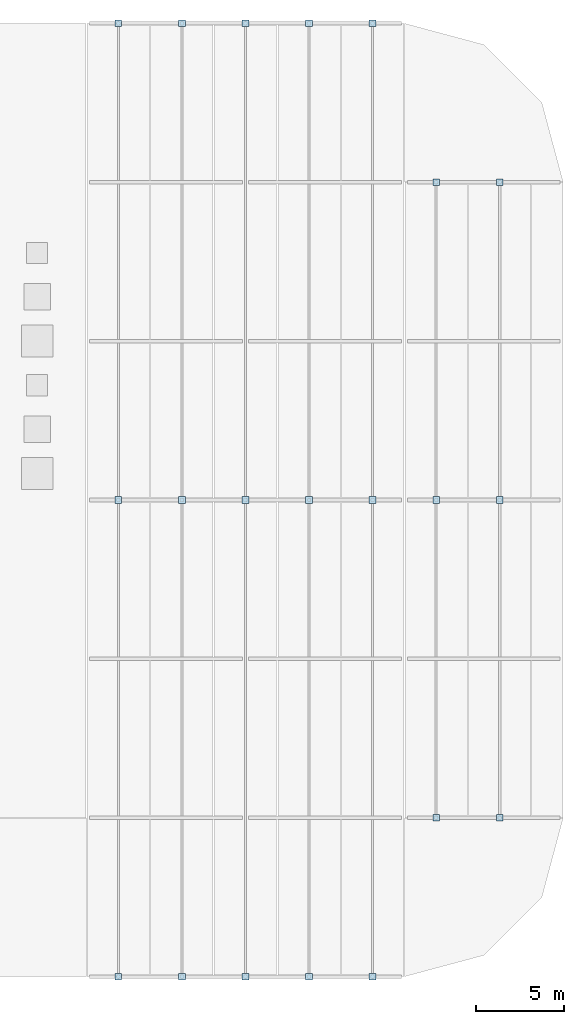
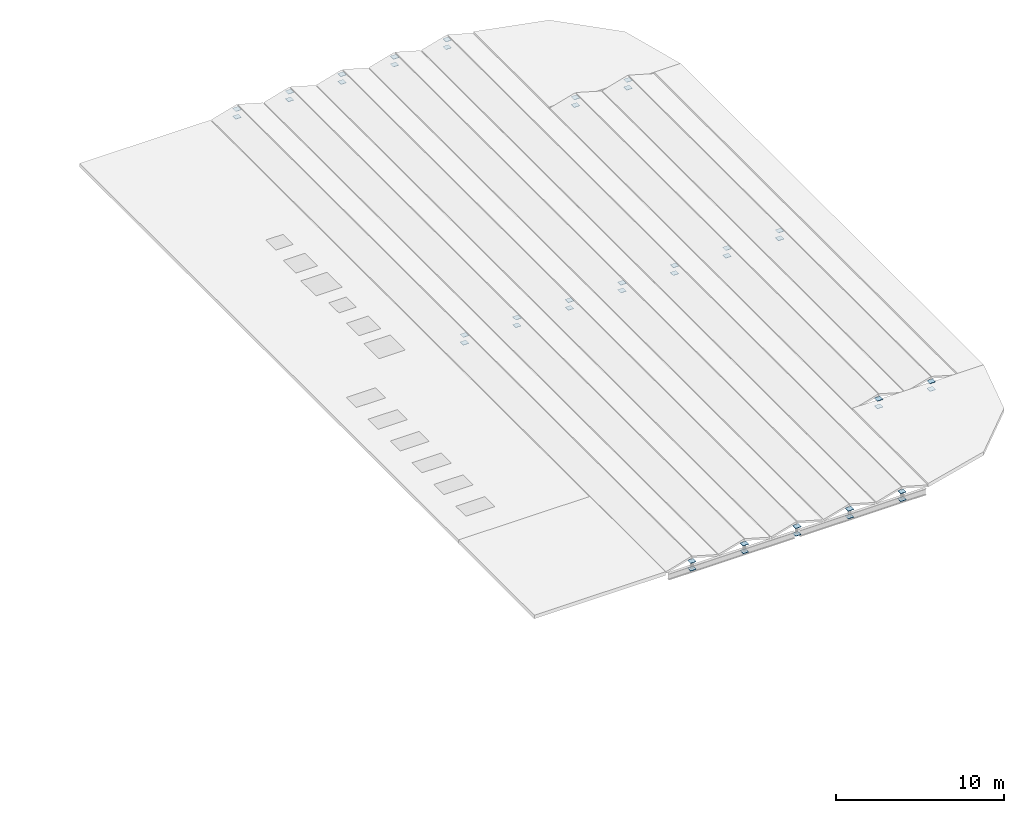
# One storey, part 6 of 6: 42 plates.
"""IFC4 building model written with IfcOpenShell, lengths in metres."""

from ifc_helpers import new_model, si_unit, direction, frame, origin, origin_2d, place, context, subcontext, project, spatial, rectangle, extrude, material, layer, layer_set, type_object, element, save


model = new_model("IFC4")

# Units and contexts
model_context = context("Model", 3, precision=1e-05, world=origin(), true_north=direction((0.0, 1.0)))
body_context = subcontext(model_context, "Body", "Model", "MODEL_VIEW")
ifc_project = project(units=[si_unit("LENGTHUNIT", "METRE"), si_unit("AREAUNIT", "SQUARE_METRE"), si_unit("VOLUMEUNIT", "CUBIC_METRE"), si_unit("PLANEANGLEUNIT", "RADIAN"), si_unit("MASSUNIT", "GRAM", prefix="KILO")], contexts=[model_context])

# Site, building, storey
site_placement = place(None, origin())
site = spatial("IfcSite", under=ifc_project, at=site_placement, CompositionType="ELEMENT")
building_placement = place(site_placement, origin())
building = spatial("IfcBuilding", under=site, at=building_placement, Name="Suzunagisa Mobility Hub", CompositionType="ELEMENT")
storey_placement = place(building_placement, frame((0.0, 0.0, 30.300048828125)))
storey = spatial("IfcBuildingStorey", under=building, at=storey_placement, Name="Roof", CompositionType="ELEMENT", Elevation=30.300048828125)

# Plates
ifc_material = material(Name="Steel SN490B", Category="steel")
ifc_layer = layer(ifc_material, 0.02392578125)
ifc_layer_set = layer_set([ifc_layer], Name="Steel SN490B")
plate_type = type_object("IfcPlateType", Name="Structural Steel Plate SP-03 380x380x24", PredefinedType="USERDEFINED", material=ifc_layer_set)
for number, where, z_axis, x_axis, name in (
    (1, (154.800048828125, 44.0, 0.14208984375), (0.0, 0.0, 1.0), (1.0, 0.0, 0.0), "Sports Canopy Post Cap 252"),
    (2, (154.800048828125, 44.0, -0.418212890625), (0.0, 0.0, 1.0), (1.0, 0.0, 0.0), "Sports Canopy Post Seat Plate 252"),
    (3, (154.800048828125, 71.0, 0.14208984375), (0.0, 0.0, 1.0), (1.0, 0.0, 0.0), "Sports Canopy Post Cap 253"),
    (4, (154.800048828125, 71.0, -0.418212890625), (0.0, 0.0, 1.0), (1.0, 0.0, 0.0), "Sports Canopy Post Seat Plate 253"),
    (5, (154.800048828125, 98.0, 0.14208984375), (0.0, 0.0, 1.0), (1.0, 0.0, 0.0), "Sports Canopy Post Cap 254"),
    (6, (154.800048828125, 98.0, -0.418212890625), (0.0, 0.0, 1.0), (1.0, 0.0, 0.0), "Sports Canopy Post Seat Plate 254"),
    (7, (158.39990234375, 44.0, 0.14208984375), (0.0, 0.0, 1.0), (1.0, 0.0, 0.0), "Sports Canopy Post Cap 256"),
    (8, (158.39990234375, 44.0, -0.418212890625), (0.0, 0.0, 1.0), (1.0, 0.0, 0.0), "Sports Canopy Post Seat Plate 256"),
    (9, (158.39990234375, 71.0, 0.14208984375), (0.0, 0.0, 1.0), (1.0, 0.0, 0.0), "Sports Canopy Post Cap 257"),
    (10, (158.39990234375, 71.0, -0.418212890625), (0.0, 0.0, 1.0), (1.0, 0.0, 0.0), "Sports Canopy Post Seat Plate 257"),
    (11, (158.39990234375, 98.0, 0.14208984375), (0.0, 0.0, 1.0), (1.0, 0.0, 0.0), "Sports Canopy Post Cap 258"),
    (12, (158.39990234375, 98.0, -0.418212890625), (0.0, 0.0, 1.0), (1.0, 0.0, 0.0), "Sports Canopy Post Seat Plate 258"),
    (13, (162.0, 44.0, 0.14208984375), (0.0, 0.0, 1.0), (1.0, 0.0, 0.0), "Sports Canopy Post Cap 260"),
    (14, (162.0, 44.0, -0.418212890625), (0.0, 0.0, 1.0), (1.0, 0.0, 0.0), "Sports Canopy Post Seat Plate 260"),
    (15, (162.0, 71.0, 0.14208984375), (0.0, 0.0, 1.0), (1.0, 0.0, 0.0), "Sports Canopy Post Cap 261"),
    (16, (162.0, 71.0, -0.418212890625), (0.0, 0.0, 1.0), (1.0, 0.0, 0.0), "Sports Canopy Post Seat Plate 261"),
    (17, (162.0, 98.0, 0.14208984375), (0.0, 0.0, 1.0), (1.0, 0.0, 0.0), "Sports Canopy Post Cap 262"),
    (18, (162.0, 98.0, -0.418212890625), (0.0, 0.0, 1.0), (1.0, 0.0, 0.0), "Sports Canopy Post Seat Plate 262"),
    (19, (165.60009765625, 44.0, 0.14208984375), (0.0, 0.0, 1.0), (1.0, 0.0, 0.0), "Sports Canopy Post Cap 264"),
    (20, (165.60009765625, 44.0, -0.418212890625), (0.0, 0.0, 1.0), (1.0, 0.0, 0.0), "Sports Canopy Post Seat Plate 264"),
    (21, (165.60009765625, 71.0, 0.14208984375), (0.0, 0.0, 1.0), (1.0, 0.0, 0.0), "Sports Canopy Post Cap 265"),
    (22, (165.60009765625, 71.0, -0.418212890625), (0.0, 0.0, 1.0), (1.0, 0.0, 0.0), "Sports Canopy Post Seat Plate 265"),
    (23, (165.60009765625, 98.0, 0.14208984375), (0.0, 0.0, 1.0), (1.0, 0.0, 0.0), "Sports Canopy Post Cap 266"),
    (24, (165.60009765625, 98.0, -0.418212890625), (0.0, 0.0, 1.0), (1.0, 0.0, 0.0), "Sports Canopy Post Seat Plate 266"),
    (25, (169.199951171875, 44.0, 0.14208984375), (0.0, 0.0, 1.0), (1.0, 0.0, 0.0), "Sports Canopy Post Cap 268"),
    (26, (169.199951171875, 44.0, -0.418212890625), (0.0, 0.0, 1.0), (1.0, 0.0, 0.0), "Sports Canopy Post Seat Plate 268"),
    (27, (169.199951171875, 71.0, 0.14208984375), (0.0, 0.0, 1.0), (1.0, 0.0, 0.0), "Sports Canopy Post Cap 269"),
    (28, (169.199951171875, 71.0, -0.418212890625), (0.0, 0.0, 1.0), (1.0, 0.0, 0.0), "Sports Canopy Post Seat Plate 269"),
    (29, (169.199951171875, 98.0, 0.14208984375), (0.0, 0.0, 1.0), (1.0, 0.0, 0.0), "Sports Canopy Post Cap 270"),
    (30, (169.199951171875, 98.0, -0.418212890625), (0.0, 0.0, 1.0), (1.0, 0.0, 0.0), "Sports Canopy Post Seat Plate 270"),
    (31, (172.800048828125, 53.0, 0.14208984375), (0.0, 0.0, 1.0), (1.0, 0.0, 0.0), "Sports Canopy Post Cap 272"),
    (32, (172.800048828125, 53.0, -0.418212890625), (0.0, 0.0, 1.0), (1.0, 0.0, 0.0), "Sports Canopy Post Seat Plate 272"),
    (33, (172.800048828125, 71.0, 0.14208984375), (0.0, 0.0, 1.0), (1.0, 0.0, 0.0), "Sports Canopy Post Cap 273"),
    (34, (172.800048828125, 71.0, -0.418212890625), (0.0, 0.0, 1.0), (1.0, 0.0, 0.0), "Sports Canopy Post Seat Plate 273"),
    (35, (172.800048828125, 89.0, 0.14208984375), (0.0, 0.0, 1.0), (1.0, 0.0, 0.0), "Sports Canopy Post Cap 274"),
    (36, (172.800048828125, 89.0, -0.418212890625), (0.0, 0.0, 1.0), (1.0, 0.0, 0.0), "Sports Canopy Post Seat Plate 274"),
    (37, (176.39990234375, 53.0, 0.14208984375), (0.0, 0.0, 1.0), (1.0, 0.0, 0.0), "Sports Canopy Post Cap 276"),
    (38, (176.39990234375, 53.0, -0.418212890625), (0.0, 0.0, 1.0), (1.0, 0.0, 0.0), "Sports Canopy Post Seat Plate 276"),
    (39, (176.39990234375, 71.0, 0.14208984375), (0.0, 0.0, 1.0), (1.0, 0.0, 0.0), "Sports Canopy Post Cap 277"),
    (40, (176.39990234375, 71.0, -0.418212890625), (0.0, 0.0, 1.0), (1.0, 0.0, 0.0), "Sports Canopy Post Seat Plate 277"),
    (41, (176.39990234375, 89.0, 0.14208984375), (0.0, 0.0, 1.0), (1.0, 0.0, 0.0), "Sports Canopy Post Cap 278"),
    (42, (176.39990234375, 89.0, -0.418212890625), (0.0, 0.0, 1.0), (1.0, 0.0, 0.0), "Sports Canopy Post Seat Plate 278"),
):
    element("IfcPlate", number, at=place(storey_placement, frame(where, z_axis=z_axis, x_axis=x_axis)), inside=storey, type_object=plate_type, Name=name, ObjectType="BASE PLATE", PredefinedType="USERDEFINED", context=body_context, shape_type="SweptSolid", body=[
        extrude(rectangle(XDim=0.3798828125, YDim=0.3798828125, at=origin_2d()), origin(), (0.0, 0.0, 1.0), 0.02392578125),
    ])

save(model, "model.ifc")
